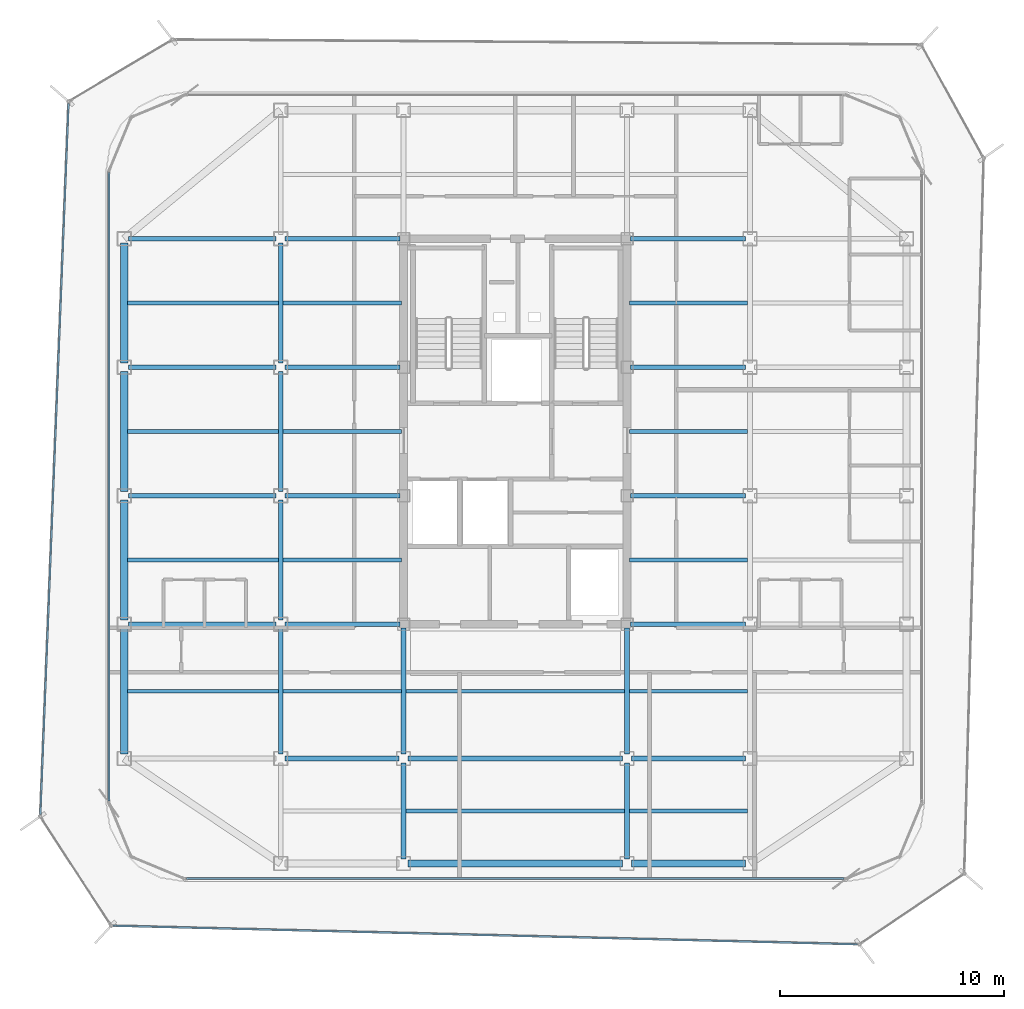
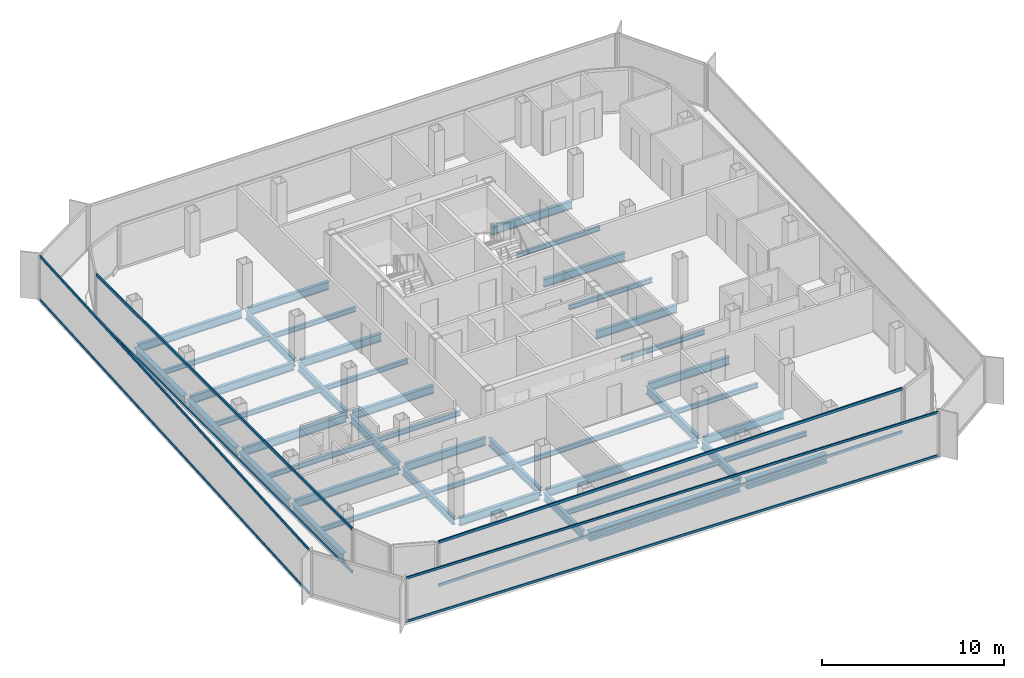
# One storey, part 3 of 15: 44 beams, 8 members, 4 elements without a shape of their own.
"""IFC4 building model written with IfcOpenShell, lengths in metres."""

from ifc_helpers import new_model, si_unit, direction, frame, origin, origin_2d, place, context, subcontext, project, spatial, hollow_rectangle, i_section, extrude, source, transform, mapped, material, layer, layer_set, material_profile, profile_set, type_object, element, aggregate, save


model = new_model("IFC4")

# Units and contexts
model_context = context("Model", 3, precision=1e-05, world=origin(), true_north=direction((0.0, 1.0)))
body_context = subcontext(model_context, "Body", "Model", "MODEL_VIEW")
ifc_project = project(units=[si_unit("LENGTHUNIT", "METRE"), si_unit("AREAUNIT", "SQUARE_METRE"), si_unit("VOLUMEUNIT", "CUBIC_METRE"), si_unit("PLANEANGLEUNIT", "RADIAN"), si_unit("MASSUNIT", "GRAM", prefix="KILO")], contexts=[model_context])

# Site, building, storey
site_placement = place(None, origin())
site = spatial("IfcSite", under=ifc_project, at=site_placement, CompositionType="ELEMENT")
building_placement = place(site_placement, origin())
building = spatial("IfcBuilding", under=site, at=building_placement, Name="Kolveth Station Tower", CompositionType="ELEMENT")
storey_placement = place(building_placement, frame((0.0, 0.0, 268.10009765625)))
storey = spatial("IfcBuildingStorey", under=building, at=storey_placement, Name="L77", CompositionType="ELEMENT", Elevation=268.10009765625)

# Beams
ifc_material_1 = material(Name="Steel S355", Category="steel")
ifc_material_profile_1 = material_profile(ifc_material_1, i_section(OverallWidth=0.323974609375, OverallDepth=0.611083984375, WebThickness=0.0126953125, FlangeThickness=0.01904296875, at=origin_2d()), Name="W610x155")
ifc_profile_set_1 = profile_set([ifc_material_profile_1], Name="Steel S355")
beam_type_1 = type_object("IfcBeamType", Name="Beam_SP2", PredefinedType="SPANDREL", material=ifc_profile_set_1)
shared_shape_1 = source(origin(), body_context, "Body", "SweptSolid", [
    extrude(i_section(OverallWidth=0.323974609375, OverallDepth=0.611083984375, WebThickness=0.0126953125, FlangeThickness=0.01904296875, at=origin_2d()), origin(), (0.0, 0.0, 1.0), 5.10009765625),
])
beam_1_placement = place(storey_placement, frame((28.699951171875, 0.800048828125, -0.525634765625), z_axis=(1.0, 0.0, 0.0), x_axis=(0.0, 1.0, 0.0)))
element("IfcBeam", 1, at=beam_1_placement, inside=storey, type_object=beam_type_1, Name="L77 Perimeter Spandrel BM-L77-PS-3", PredefinedType="SPANDREL", context=body_context, shape_type="MappedRepresentation", body=[
    mapped(shared_shape_1, transform((0.0, 0.0, 0.0), x_axis=(1.0, 0.0, 0.0), y_axis=(0.0, 1.0, 0.0), z_axis=(0.0, 0.0, 1.0), scale=1.0)),
])
shared_shape_2 = source(origin(), body_context, "Body", "SweptSolid", [
    extrude(i_section(OverallWidth=0.323974609375, OverallDepth=0.611083984375, WebThickness=0.0126953125, FlangeThickness=0.01904296875, at=origin_2d()), origin(), (0.0, 0.0, 1.0), 9.60009765625),
])
beam_2_placement = place(storey_placement, frame((18.699951171875, 0.800048828125, -0.525634765625), z_axis=(1.0, 0.0, 0.0), x_axis=(0.0, 1.0, 0.0)))
element("IfcBeam", 2, at=beam_2_placement, inside=storey, type_object=beam_type_1, Name="L77 Perimeter Spandrel BM-L77-PS-2", PredefinedType="SPANDREL", context=body_context, shape_type="MappedRepresentation", body=[
    mapped(shared_shape_2, transform((0.0, 0.0, 0.0), x_axis=(1.0, 0.0, 0.0), y_axis=(0.0, 1.0, 0.0), z_axis=(0.0, 0.0, 1.0), scale=1.0)),
])
shared_shape_3 = source(origin(), body_context, "Body", "SweptSolid", [
    extrude(i_section(OverallWidth=0.323974609375, OverallDepth=0.611083984375, WebThickness=0.0126953125, FlangeThickness=0.01904296875, at=origin_2d()), origin(), (0.0, 0.0, 1.0), 5.60009765625),
])
beam_3_placement = place(storey_placement, frame((6.0, 5.699951171875, -0.525634765625), z_axis=(0.0, 1.0, 0.0), x_axis=(-1.0, 0.0, 0.0)))
element("IfcBeam", 3, at=beam_3_placement, inside=storey, type_object=beam_type_1, Name="L77 Perimeter Spandrel BM-L77-PW-1", PredefinedType="SPANDREL", context=body_context, shape_type="MappedRepresentation", body=[
    mapped(shared_shape_3, transform((0.0, 0.0, 0.0), x_axis=(1.0, 0.0, 0.0), y_axis=(0.0, 1.0, 0.0), z_axis=(0.0, 0.0, 1.0), scale=1.0)),
])
shared_shape_4 = source(origin(), body_context, "Body", "SweptSolid", [
    extrude(i_section(OverallWidth=0.323974609375, OverallDepth=0.611083984375, WebThickness=0.0126953125, FlangeThickness=0.01904296875, at=origin_2d()), origin(), (0.0, 0.0, 1.0), 5.35009765625),
])
for number, where, z_axis, x_axis, name in (
    (4, (6.0, 11.699951171875, -0.525634765625), (0.0, 1.0, 0.0), (-1.0, 0.0, 0.0), "L77 Perimeter Spandrel BM-L77-PW-2"),
    (5, (6.0, 17.449951171875, -0.525634765625), (0.0, 1.0, 0.0), (-1.0, 0.0, 0.0), "L77 Perimeter Spandrel BM-L77-PW-3"),
    (6, (6.0, 23.199951171875, -0.525634765625), (0.0, 1.0, 0.0), (-1.0, 0.0, 0.0), "L77 Perimeter Spandrel BM-L77-PW-4"),
):
    element("IfcBeam", number, at=place(storey_placement, frame(where, z_axis=z_axis, x_axis=x_axis)), inside=storey, type_object=beam_type_1, Name=name, PredefinedType="SPANDREL", context=body_context, shape_type="MappedRepresentation", body=[
        mapped(shared_shape_4, transform((0.0, 0.0, 0.0), x_axis=(1.0, 0.0, 0.0), y_axis=(0.0, 1.0, 0.0), z_axis=(0.0, 0.0, 1.0), scale=1.0)),
    ])
ifc_material_profile_2 = material_profile(ifc_material_1, i_section(OverallWidth=0.2099609375, OverallDepth=0.537109375, WebThickness=0.010986328125, FlangeThickness=0.017333984375, at=origin_2d()), Name="W530x101")
ifc_profile_set_2 = profile_set([ifc_material_profile_2], Name="Steel S355")
beam_type_2 = type_object("IfcBeamType", Name="Beam_B6", PredefinedType="BEAM", material=ifc_profile_set_2)
shared_shape_5 = source(origin(), body_context, "Body", "SweptSolid", [
    extrude(i_section(OverallWidth=0.2099609375, OverallDepth=0.537109375, WebThickness=0.010986328125, FlangeThickness=0.017333984375, at=origin_2d()), origin(), (0.0, 0.0, 1.0), 6.60009765625),
])
for number, where, z_axis, x_axis, name in (
    (7, (6.199951171875, 11.5, -0.488525390625), (1.0, 0.0, 0.0), (0.0, 1.0, 0.0), "L77 Primary Girder BM-L77-GY115-1"),
    (8, (6.199951171875, 17.25, -0.488525390625), (1.0, 0.0, 0.0), (0.0, 1.0, 0.0), "L77 Primary Girder BM-L77-GY172-1"),
    (9, (6.199951171875, 23.0, -0.488525390625), (1.0, 0.0, 0.0), (0.0, 1.0, 0.0), "L77 Primary Girder BM-L77-GY230-1"),
    (10, (6.199951171875, 28.75, -0.488525390625), (1.0, 0.0, 0.0), (0.0, 1.0, 0.0), "L77 Primary Girder BM-L77-GY287-1"),
):
    element("IfcBeam", number, at=place(storey_placement, frame(where, z_axis=z_axis, x_axis=x_axis)), inside=storey, type_object=beam_type_2, Name=name, PredefinedType="BEAM", context=body_context, shape_type="MappedRepresentation", body=[
        mapped(shared_shape_5, transform((0.0, 0.0, 0.0), x_axis=(1.0, 0.0, 0.0), y_axis=(0.0, 1.0, 0.0), z_axis=(0.0, 0.0, 1.0), scale=1.0)),
    ])
shared_shape_6 = source(origin(), body_context, "Body", "SweptSolid", [
    extrude(i_section(OverallWidth=0.2099609375, OverallDepth=0.537109375, WebThickness=0.010986328125, FlangeThickness=0.017333984375, at=origin_2d()), origin(), (0.0, 0.0, 1.0), 5.10009765625),
])
for number, where, z_axis, x_axis, name in (
    (11, (13.199951171875, 5.5, -0.488525390625), (1.0, 0.0, 0.0), (0.0, 1.0, 0.0), "L77 Primary Girder BM-L77-GY55-2"),
    (12, (28.699951171875, 5.5, -0.488525390625), (1.0, 0.0, 0.0), (0.0, 1.0, 0.0), "L77 Primary Girder BM-L77-GY55-4"),
):
    element("IfcBeam", number, at=place(storey_placement, frame(where, z_axis=z_axis, x_axis=x_axis)), inside=storey, type_object=beam_type_2, Name=name, PredefinedType="BEAM", context=body_context, shape_type="MappedRepresentation", body=[
        mapped(shared_shape_6, transform((0.0, 0.0, 0.0), x_axis=(1.0, 0.0, 0.0), y_axis=(0.0, 1.0, 0.0), z_axis=(0.0, 0.0, 1.0), scale=1.0)),
    ])
shared_shape_7 = source(origin(), body_context, "Body", "SweptSolid", [
    extrude(i_section(OverallWidth=0.2099609375, OverallDepth=0.537109375, WebThickness=0.010986328125, FlangeThickness=0.017333984375, at=origin_2d()), origin(), (0.0, 0.0, 1.0), 9.60009765625),
])
beam_4_placement = place(storey_placement, frame((18.699951171875, 5.5, -0.488525390625), z_axis=(1.0, 0.0, 0.0), x_axis=(0.0, 1.0, 0.0)))
element("IfcBeam", 13, at=beam_4_placement, inside=storey, type_object=beam_type_2, Name="L77 Primary Girder BM-L77-GY55-3", PredefinedType="BEAM", context=body_context, shape_type="MappedRepresentation", body=[
    mapped(shared_shape_7, transform((0.0, 0.0, 0.0), x_axis=(1.0, 0.0, 0.0), y_axis=(0.0, 1.0, 0.0), z_axis=(0.0, 0.0, 1.0), scale=1.0)),
])
shared_shape_8 = source(origin(), body_context, "Body", "SweptSolid", [
    extrude(i_section(OverallWidth=0.2099609375, OverallDepth=0.537109375, WebThickness=0.010986328125, FlangeThickness=0.017333984375, at=origin_2d()), origin(), (0.0, 0.0, 1.0), 5.14013671875),
])
for number, where, z_axis, x_axis, name in (
    (14, (13.199951171875, 11.5, -0.488525390625), (1.0, 0.0, 0.0), (0.0, 1.0, 0.0), "L77 Primary Girder BM-L77-GY115-2"),
    (15, (28.659912109375, 11.5, -0.488525390625), (1.0, 0.0, 0.0), (0.0, 1.0, 0.0), "L77 Primary Girder BM-L77-GY115-4"),
    (16, (13.199951171875, 17.25, -0.488525390625), (1.0, 0.0, 0.0), (0.0, 1.0, 0.0), "L77 Primary Girder BM-L77-GY172-2"),
    (17, (28.659912109375, 17.25, -0.488525390625), (1.0, 0.0, 0.0), (0.0, 1.0, 0.0), "L77 Primary Girder BM-L77-GY172-4"),
    (18, (13.199951171875, 23.0, -0.488525390625), (1.0, 0.0, 0.0), (0.0, 1.0, 0.0), "L77 Primary Girder BM-L77-GY230-2"),
    (19, (28.659912109375, 23.0, -0.488525390625), (1.0, 0.0, 0.0), (0.0, 1.0, 0.0), "L77 Primary Girder BM-L77-GY230-4"),
    (20, (13.199951171875, 28.75, -0.488525390625), (1.0, 0.0, 0.0), (0.0, 1.0, 0.0), "L77 Primary Girder BM-L77-GY287-2"),
    (21, (28.659912109375, 28.75, -0.488525390625), (1.0, 0.0, 0.0), (0.0, 1.0, 0.0), "L77 Primary Girder BM-L77-GY287-4"),
):
    element("IfcBeam", number, at=place(storey_placement, frame(where, z_axis=z_axis, x_axis=x_axis)), inside=storey, type_object=beam_type_2, Name=name, PredefinedType="BEAM", context=body_context, shape_type="MappedRepresentation", body=[
        mapped(shared_shape_8, transform((0.0, 0.0, 0.0), x_axis=(1.0, 0.0, 0.0), y_axis=(0.0, 1.0, 0.0), z_axis=(0.0, 0.0, 1.0), scale=1.0)),
    ])
shared_shape_9 = source(origin(), body_context, "Body", "SweptSolid", [
    extrude(i_section(OverallWidth=0.2099609375, OverallDepth=0.537109375, WebThickness=0.010986328125, FlangeThickness=0.017333984375, at=origin_2d()), origin(), (0.0, 0.0, 1.0), 4.300048828125),
])
for number, where, z_axis, x_axis, name in (
    (22, (18.5, 1.0, -0.488525390625), (0.0, 1.0, 0.0), (-1.0, 0.0, 0.0), "L77 Primary Girder BM-L77-GX185-1"),
    (23, (28.5, 1.0, -0.488525390625), (0.0, 1.0, 0.0), (-1.0, 0.0, 0.0), "L77 Primary Girder BM-L77-GX285-1"),
):
    element("IfcBeam", number, at=place(storey_placement, frame(where, z_axis=z_axis, x_axis=x_axis)), inside=storey, type_object=beam_type_2, Name=name, PredefinedType="BEAM", context=body_context, shape_type="MappedRepresentation", body=[
        mapped(shared_shape_9, transform((0.0, 0.0, 0.0), x_axis=(1.0, 0.0, 0.0), y_axis=(0.0, 1.0, 0.0), z_axis=(0.0, 0.0, 1.0), scale=1.0)),
    ])
shared_shape_10 = source(origin(), body_context, "Body", "SweptSolid", [
    extrude(i_section(OverallWidth=0.2099609375, OverallDepth=0.537109375, WebThickness=0.010986328125, FlangeThickness=0.017333984375, at=origin_2d()), origin(), (0.0, 0.0, 1.0), 5.60009765625),
])
beam_5_placement = place(storey_placement, frame((13.0, 5.699951171875, -0.488525390625), z_axis=(0.0, 1.0, 0.0), x_axis=(-1.0, 0.0, 0.0)))
element("IfcBeam", 24, at=beam_5_placement, inside=storey, type_object=beam_type_2, Name="L77 Primary Girder BM-L77-GX130-2", PredefinedType="BEAM", context=body_context, shape_type="MappedRepresentation", body=[
    mapped(shared_shape_10, transform((0.0, 0.0, 0.0), x_axis=(1.0, 0.0, 0.0), y_axis=(0.0, 1.0, 0.0), z_axis=(0.0, 0.0, 1.0), scale=1.0)),
])
shared_shape_11 = source(origin(), body_context, "Body", "SweptSolid", [
    extrude(i_section(OverallWidth=0.2099609375, OverallDepth=0.537109375, WebThickness=0.010986328125, FlangeThickness=0.017333984375, at=origin_2d()), origin(), (0.0, 0.0, 1.0), 5.35009765625),
])
for number, where, z_axis, x_axis, name in (
    (25, (13.0, 11.699951171875, -0.488525390625), (0.0, 1.0, 0.0), (-1.0, 0.0, 0.0), "L77 Primary Girder BM-L77-GX130-3"),
    (26, (13.0, 17.449951171875, -0.488525390625), (0.0, 1.0, 0.0), (-1.0, 0.0, 0.0), "L77 Primary Girder BM-L77-GX130-4"),
    (27, (13.0, 23.199951171875, -0.488525390625), (0.0, 1.0, 0.0), (-1.0, 0.0, 0.0), "L77 Primary Girder BM-L77-GX130-5"),
):
    element("IfcBeam", number, at=place(storey_placement, frame(where, z_axis=z_axis, x_axis=x_axis)), inside=storey, type_object=beam_type_2, Name=name, PredefinedType="BEAM", context=body_context, shape_type="MappedRepresentation", body=[
        mapped(shared_shape_11, transform((0.0, 0.0, 0.0), x_axis=(1.0, 0.0, 0.0), y_axis=(0.0, 1.0, 0.0), z_axis=(0.0, 0.0, 1.0), scale=1.0)),
    ])
shared_shape_12 = source(origin(), body_context, "Body", "SweptSolid", [
    extrude(i_section(OverallWidth=0.2099609375, OverallDepth=0.537109375, WebThickness=0.010986328125, FlangeThickness=0.017333984375, at=origin_2d()), origin(), (0.0, 0.0, 1.0), 5.64013671875),
])
for number, where, z_axis, x_axis, name in (
    (28, (18.5, 5.699951171875, -0.488525390625), (0.0, 1.0, 0.0), (-1.0, 0.0, 0.0), "L77 Primary Girder BM-L77-GX185-2"),
    (29, (28.5, 5.699951171875, -0.488525390625), (0.0, 1.0, 0.0), (-1.0, 0.0, 0.0), "L77 Primary Girder BM-L77-GX285-2"),
):
    element("IfcBeam", number, at=place(storey_placement, frame(where, z_axis=z_axis, x_axis=x_axis)), inside=storey, type_object=beam_type_2, Name=name, PredefinedType="BEAM", context=body_context, shape_type="MappedRepresentation", body=[
        mapped(shared_shape_12, transform((0.0, 0.0, 0.0), x_axis=(1.0, 0.0, 0.0), y_axis=(0.0, 1.0, 0.0), z_axis=(0.0, 0.0, 1.0), scale=1.0)),
    ])
ifc_material_profile_3 = material_profile(ifc_material_1, i_section(OverallWidth=0.1650390625, OverallDepth=0.31005859375, WebThickness=0.005859375, FlangeThickness=0.009765625, at=origin_2d()), Name="W310x39")
ifc_profile_set_3 = profile_set([ifc_material_profile_3], Name="Steel S355")
beam_type_3 = type_object("IfcBeamType", Name="Beam_J3", PredefinedType="JOIST", material=ifc_profile_set_3)
shared_shape_13 = source(origin(), body_context, "Body", "SweptSolid", [
    extrude(i_section(OverallWidth=0.1650390625, OverallDepth=0.31005859375, WebThickness=0.005859375, FlangeThickness=0.009765625, at=origin_2d()), origin(), (0.0, 0.0, 1.0), 6.737060546875),
])
for number, where, z_axis, x_axis, name in (
    (30, (6.159912109375, 8.5, -0.375), (1.0, 0.0, 0.0), (0.0, 1.0, 0.0), "L77 Secondary Joist JST-L77-1-2"),
    (31, (6.159912109375, 14.375, -0.375), (1.0, 0.0, 0.0), (0.0, 1.0, 0.0), "L77 Secondary Joist JST-L77-1-3"),
    (32, (6.159912109375, 20.125, -0.375), (1.0, 0.0, 0.0), (0.0, 1.0, 0.0), "L77 Secondary Joist JST-L77-1-4"),
    (33, (6.159912109375, 25.875, -0.375), (1.0, 0.0, 0.0), (0.0, 1.0, 0.0), "L77 Secondary Joist JST-L77-1-5"),
):
    element("IfcBeam", number, at=place(storey_placement, frame(where, z_axis=z_axis, x_axis=x_axis)), inside=storey, type_object=beam_type_3, Name=name, PredefinedType="JOIST", context=body_context, shape_type="MappedRepresentation", body=[
        mapped(shared_shape_13, transform((0.0, 0.0, 0.0), x_axis=(1.0, 0.0, 0.0), y_axis=(0.0, 1.0, 0.0), z_axis=(0.0, 0.0, 1.0), scale=1.0)),
    ])
shared_shape_14 = source(origin(), body_context, "Body", "SweptSolid", [
    extrude(i_section(OverallWidth=0.1650390625, OverallDepth=0.31005859375, WebThickness=0.005859375, FlangeThickness=0.009765625, at=origin_2d()), origin(), (0.0, 0.0, 1.0), 5.2939453125),
])
for number, where, z_axis, x_axis, name in (
    (34, (13.10302734375, 8.5, -0.375), (1.0, 0.0, 0.0), (0.0, 1.0, 0.0), "L77 Secondary Joist JST-L77-2-2"),
    (35, (13.10302734375, 14.375, -0.375), (1.0, 0.0, 0.0), (0.0, 1.0, 0.0), "L77 Secondary Joist JST-L77-2-3"),
    (36, (13.10302734375, 20.125, -0.375), (1.0, 0.0, 0.0), (0.0, 1.0, 0.0), "L77 Secondary Joist JST-L77-2-4"),
    (37, (13.10302734375, 25.875, -0.375), (1.0, 0.0, 0.0), (0.0, 1.0, 0.0), "L77 Secondary Joist JST-L77-2-5"),
    (38, (28.60302734375, 3.14990234375, -0.375), (1.0, 0.0, 0.0), (0.0, 1.0, 0.0), "L77 Secondary Joist JST-L77-4-1"),
    (39, (28.60302734375, 8.5, -0.375), (1.0, 0.0, 0.0), (0.0, 1.0, 0.0), "L77 Secondary Joist JST-L77-4-2"),
    (40, (28.60302734375, 14.375, -0.375), (1.0, 0.0, 0.0), (0.0, 1.0, 0.0), "L77 Secondary Joist JST-L77-4-3"),
    (41, (28.60302734375, 20.125, -0.375), (1.0, 0.0, 0.0), (0.0, 1.0, 0.0), "L77 Secondary Joist JST-L77-4-4"),
    (42, (28.60302734375, 25.875, -0.375), (1.0, 0.0, 0.0), (0.0, 1.0, 0.0), "L77 Secondary Joist JST-L77-4-5"),
):
    element("IfcBeam", number, at=place(storey_placement, frame(where, z_axis=z_axis, x_axis=x_axis)), inside=storey, type_object=beam_type_3, Name=name, PredefinedType="JOIST", context=body_context, shape_type="MappedRepresentation", body=[
        mapped(shared_shape_14, transform((0.0, 0.0, 0.0), x_axis=(1.0, 0.0, 0.0), y_axis=(0.0, 1.0, 0.0), z_axis=(0.0, 0.0, 1.0), scale=1.0)),
    ])
shared_shape_15 = source(origin(), body_context, "Body", "SweptSolid", [
    extrude(i_section(OverallWidth=0.1650390625, OverallDepth=0.31005859375, WebThickness=0.005859375, FlangeThickness=0.009765625, at=origin_2d()), origin(), (0.0, 0.0, 1.0), 9.7939453125),
])
for number, where, z_axis, x_axis, name in (
    (43, (18.60302734375, 3.14990234375, -0.375), (1.0, 0.0, 0.0), (0.0, 1.0, 0.0), "L77 Secondary Joist JST-L77-3-1"),
    (44, (18.60302734375, 8.5, -0.375), (1.0, 0.0, 0.0), (0.0, 1.0, 0.0), "L77 Secondary Joist JST-L77-3-2"),
):
    element("IfcBeam", number, at=place(storey_placement, frame(where, z_axis=z_axis, x_axis=x_axis)), inside=storey, type_object=beam_type_3, Name=name, PredefinedType="JOIST", context=body_context, shape_type="MappedRepresentation", body=[
        mapped(shared_shape_15, transform((0.0, 0.0, 0.0), x_axis=(1.0, 0.0, 0.0), y_axis=(0.0, 1.0, 0.0), z_axis=(0.0, 0.0, 1.0), scale=1.0)),
    ])

# Curtain wall, members
ifc_material_2 = material(Name="Aluminium 6063-T6 and triple low-E dark glass", Category="aluminium")
ifc_layer_1 = layer(ifc_material_2, 0.199951171875)
ifc_layer_set_1 = layer_set([ifc_layer_1], Name="Aluminium 6063-T6 and triple low-E dark glass")
curtain_wall_type_1 = type_object("IfcCurtainWallType", Name="CurtainWall_CW-Z3", PredefinedType="NOTDEFINED", material=ifc_layer_set_1)
curtain_wall_1_placement = place(storey_placement, origin())
curtain_wall_1 = element("IfcCurtainWall", 45, at=curtain_wall_1_placement, inside=storey, type_object=curtain_wall_type_1, Name="L77 Inner Thermal Curtain Wall 9", PredefinedType="NOTDEFINED")
ifc_material_3 = material(Name="Black anodized aluminium 6063-T6", Category="aluminium")
ifc_material_profile_4 = material_profile(ifc_material_3, hollow_rectangle(XDim=0.0849609375, YDim=0.179931640625, WallThickness=0.0048828125, at=origin_2d()), Name="ALU-85x180x5")
ifc_profile_set_4 = profile_set([ifc_material_profile_4], Name="Black anodized aluminium 6063-T6")
member_type_1 = type_object("IfcMemberType", Name="Transom_TR3", PredefinedType="USERDEFINED", material=ifc_profile_set_4)
shared_shape_16 = source(origin(), body_context, "Body", "SweptSolid", [
    extrude(hollow_rectangle(XDim=0.0849609375, YDim=0.179931640625, WallThickness=0.0048828125, at=origin_2d()), origin(), (0.0, 0.0, 1.0), 28.130126953125),
])
member_1_placement = place(storey_placement, frame((5.320068359375, 31.715087890625, 0.04248046875), z_axis=(0.0, -1.0, 0.0), x_axis=(1.0, 0.0, 0.0)))
member_1 = element("IfcMember", 46, at=member_1_placement, type_object=member_type_1, Name="CW-Z3 transom 1.1", ObjectType="TRANSOM", PredefinedType="USERDEFINED", context=body_context, shape_type="MappedRepresentation", body=[
    mapped(shared_shape_16, transform((0.0, 0.0, 0.0), x_axis=(1.0, 0.0, 0.0), y_axis=(0.0, 1.0, 0.0), z_axis=(0.0, 0.0, 1.0), scale=1.0)),
])
member_2_placement = place(storey_placement, frame((5.320068359375, 31.715087890625, 2.9375), z_axis=(0.0, -1.0, 0.0), x_axis=(1.0, 0.0, 0.0)))
member_2 = element("IfcMember", 47, at=member_2_placement, type_object=member_type_1, Name="CW-Z3 transom 1.2", ObjectType="TRANSOM", PredefinedType="USERDEFINED", context=body_context, shape_type="MappedRepresentation", body=[
    mapped(shared_shape_16, transform((0.0, 0.0, 0.0), x_axis=(1.0, 0.0, 0.0), y_axis=(0.0, 1.0, 0.0), z_axis=(0.0, 0.0, 1.0), scale=1.0)),
])
aggregate(curtain_wall_1, [member_1, member_2])

curtain_wall_2_placement = place(storey_placement, origin())
curtain_wall_2 = element("IfcCurtainWall", 48, at=curtain_wall_2_placement, inside=storey, type_object=curtain_wall_type_1, Name="L77 Inner Thermal Curtain Wall 12", PredefinedType="NOTDEFINED")
shared_shape_17 = source(origin(), body_context, "Body", "SweptSolid", [
    extrude(hollow_rectangle(XDim=0.0849609375, YDim=0.179931640625, WallThickness=0.0048828125, at=origin_2d()), origin(), (0.0, 0.0, 1.0), 29.43017578125),
])
member_3_placement = place(storey_placement, frame((8.784912109375, 0.1201171875, 0.04248046875), z_axis=(1.0, 0.0, 0.0), x_axis=(0.0, 1.0, 0.0)))
member_3 = element("IfcMember", 49, at=member_3_placement, type_object=member_type_1, Name="CW-Z3 transom 1.1", ObjectType="TRANSOM", PredefinedType="USERDEFINED", context=body_context, shape_type="MappedRepresentation", body=[
    mapped(shared_shape_17, transform((0.0, 0.0, 0.0), x_axis=(1.0, 0.0, 0.0), y_axis=(0.0, 1.0, 0.0), z_axis=(0.0, 0.0, 1.0), scale=1.0)),
])
member_4_placement = place(storey_placement, frame((8.784912109375, 0.1201171875, 2.9375), z_axis=(1.0, 0.0, 0.0), x_axis=(0.0, 1.0, 0.0)))
member_4 = element("IfcMember", 50, at=member_4_placement, type_object=member_type_1, Name="CW-Z3 transom 1.2", ObjectType="TRANSOM", PredefinedType="USERDEFINED", context=body_context, shape_type="MappedRepresentation", body=[
    mapped(shared_shape_17, transform((0.0, 0.0, 0.0), x_axis=(1.0, 0.0, 0.0), y_axis=(0.0, 1.0, 0.0), z_axis=(0.0, 0.0, 1.0), scale=1.0)),
])
aggregate(curtain_wall_2, [member_3, member_4])

ifc_material_4 = material(Name="Black anodized aluminium 6063-T6 and dark solar glass", Category="aluminium")
ifc_layer_2 = layer(ifc_material_4, 0.159912109375)
ifc_layer_set_2 = layer_set([ifc_layer_2], Name="Black anodized aluminium 6063-T6 and dark solar glass")
curtain_wall_type_2 = type_object("IfcCurtainWallType", Name="OUTER SKIN CW-OS", PredefinedType="NOTDEFINED", material=ifc_layer_set_2)
curtain_wall_3_placement = place(storey_placement, origin())
curtain_wall_3 = element("IfcCurtainWall", 51, at=curtain_wall_3_placement, inside=storey, type_object=curtain_wall_type_2, Name="L77 Outer Ventilated Skin Curtain Wall 6", PredefinedType="NOTDEFINED")
ifc_material_profile_5 = material_profile(ifc_material_3, hollow_rectangle(XDim=0.080078125, YDim=0.14990234375, WallThickness=0.0048828125, at=origin_2d()), Name="ALU-80x150x5")
ifc_profile_set_5 = profile_set([ifc_material_profile_5], Name="Black anodized aluminium 6063-T6")
member_type_2 = type_object("IfcMemberType", Name="Transom_TR-OS", PredefinedType="USERDEFINED", material=ifc_profile_set_5)
shared_shape_18 = source(origin(), body_context, "Body", "SweptSolid", [
    extrude(hollow_rectangle(XDim=0.080078125, YDim=0.14990234375, WallThickness=0.0048828125, at=origin_2d()), origin(), (0.0, 0.0, 1.0), 31.831298828125),
])
member_5_placement = place(storey_placement, frame((3.51318359375, 34.7998046875, 0.039794921875), z_axis=(-0.039622220794, -0.999214731486, 0.0), x_axis=(0.999214731486, -0.039622220794, 0.0)))
member_5 = element("IfcMember", 52, at=member_5_placement, type_object=member_type_2, Name="CW-OS transom 1.1", ObjectType="TRANSOM", PredefinedType="USERDEFINED", context=body_context, shape_type="MappedRepresentation", body=[
    mapped(shared_shape_18, transform((0.0, 0.0, 0.0), x_axis=(1.0, 0.0, 0.0), y_axis=(0.0, 1.0, 0.0), z_axis=(0.0, 0.0, 1.0), scale=1.0)),
])
member_6_placement = place(storey_placement, frame((3.51318359375, 34.7998046875, 2.93994140625), z_axis=(-0.039622220794, -0.999214731486, 0.0), x_axis=(0.999214731486, -0.039622220794, 0.0)))
member_6 = element("IfcMember", 53, at=member_6_placement, type_object=member_type_2, Name="CW-OS transom 1.2", ObjectType="TRANSOM", PredefinedType="USERDEFINED", context=body_context, shape_type="MappedRepresentation", body=[
    mapped(shared_shape_18, transform((0.0, 0.0, 0.0), x_axis=(1.0, 0.0, 0.0), y_axis=(0.0, 1.0, 0.0), z_axis=(0.0, 0.0, 1.0), scale=1.0)),
])
aggregate(curtain_wall_3, [member_5, member_6])

curtain_wall_4_placement = place(storey_placement, origin())
curtain_wall_4 = element("IfcCurtainWall", 54, at=curtain_wall_4_placement, inside=storey, type_object=curtain_wall_type_2, Name="L77 Outer Ventilated Skin Curtain Wall 8", PredefinedType="NOTDEFINED")
shared_shape_19 = source(origin(), body_context, "Body", "SweptSolid", [
    extrude(hollow_rectangle(XDim=0.080078125, YDim=0.14990234375, WallThickness=0.0048828125, at=origin_2d()), origin(), (0.0, 0.0, 1.0), 33.30419921875),
])
member_7_placement = place(storey_placement, frame((5.5107421875, -1.985107421875, 0.039794921875), z_axis=(0.999688245942, -0.024968198266, 0.0), x_axis=(0.024968198266, 0.999688245942, 0.0)))
member_7 = element("IfcMember", 55, at=member_7_placement, type_object=member_type_2, Name="CW-OS transom 1.1", ObjectType="TRANSOM", PredefinedType="USERDEFINED", context=body_context, shape_type="MappedRepresentation", body=[
    mapped(shared_shape_19, transform((0.0, 0.0, 0.0), x_axis=(1.0, 0.0, 0.0), y_axis=(0.0, 1.0, 0.0), z_axis=(0.0, 0.0, 1.0), scale=1.0)),
])
member_8_placement = place(storey_placement, frame((5.5107421875, -1.985107421875, 2.93994140625), z_axis=(0.999688245942, -0.024968198266, 0.0), x_axis=(0.024968198266, 0.999688245942, 0.0)))
member_8 = element("IfcMember", 56, at=member_8_placement, type_object=member_type_2, Name="CW-OS transom 1.2", ObjectType="TRANSOM", PredefinedType="USERDEFINED", context=body_context, shape_type="MappedRepresentation", body=[
    mapped(shared_shape_19, transform((0.0, 0.0, 0.0), x_axis=(1.0, 0.0, 0.0), y_axis=(0.0, 1.0, 0.0), z_axis=(0.0, 0.0, 1.0), scale=1.0)),
])
aggregate(curtain_wall_4, [member_7, member_8])

save(model, "model.ifc")
